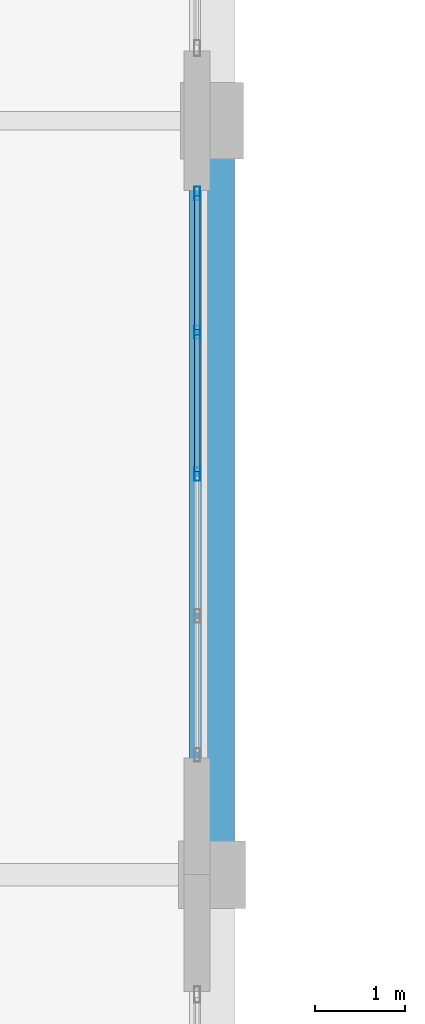
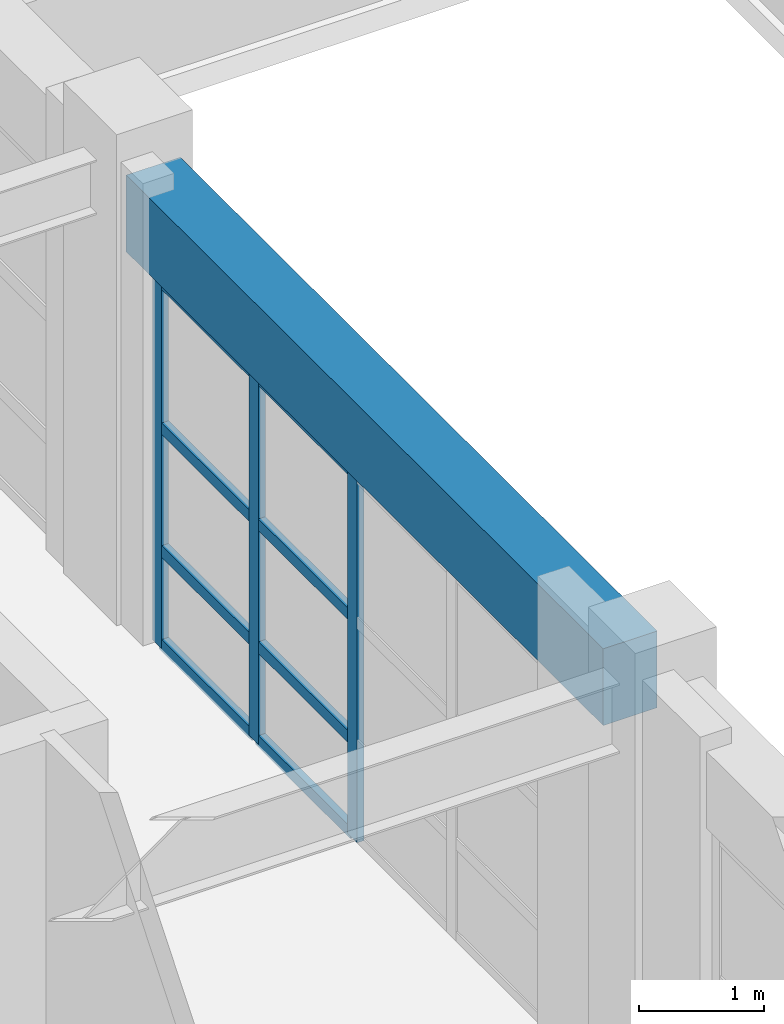
# One storey, part 25 of 123: 11 members, 1 beam, 1 element without a shape of its own.
"""IFC4 building model written with IfcOpenShell, lengths in metres."""

from ifc_helpers import new_model, si_unit, direction, frame, origin, origin_2d, place, context, subcontext, project, spatial, rectangle, hollow_rectangle, extrude, material, layer, layer_set, material_profile, profile_set, type_object, element, aggregate, save


model = new_model("IFC4")

# Units and contexts
model_context = context("Model", 3, precision=1e-05, world=origin(), true_north=direction((0.0, 1.0)))
body_context = subcontext(model_context, "Body", "Model", "MODEL_VIEW")
ifc_project = project(units=[si_unit("LENGTHUNIT", "METRE"), si_unit("AREAUNIT", "SQUARE_METRE"), si_unit("VOLUMEUNIT", "CUBIC_METRE"), si_unit("PLANEANGLEUNIT", "RADIAN"), si_unit("MASSUNIT", "GRAM", prefix="KILO")], contexts=[model_context])

# Site, building, storey
site_placement = place(None, origin())
site = spatial("IfcSite", under=ifc_project, at=site_placement, CompositionType="ELEMENT")
building_placement = place(site_placement, origin())
building = spatial("IfcBuilding", under=site, at=building_placement, Name="Quendrovan Civic Courthouse", CompositionType="ELEMENT")
storey_placement = place(building_placement, frame((0.0, 0.0, 5.39990234375)))
storey = spatial("IfcBuildingStorey", under=building, at=storey_placement, Name="L02", CompositionType="ELEMENT", Elevation=5.39990234375)

# Beam
ifc_material_1 = material(Name="Concrete C40/50", Category="concrete")
ifc_material_profile_1 = material_profile(ifc_material_1, rectangle(XDim=0.5, YDim=0.75, at=origin_2d()), Name="RC-BM-500x750")
ifc_profile_set_1 = profile_set([ifc_material_profile_1], Name="Concrete C40/50")
beam_type = type_object("IfcBeamType", Name="BM-RC750", PredefinedType="SPANDREL", material=ifc_profile_set_1)
beam_placement = place(storey_placement, frame((16.800048828125, 56.7548828125, 3.985107421875), z_axis=(0.0, 1.0, 0.0), x_axis=(-1.0, 0.0, 0.0)))
element("IfcBeam", 1, at=beam_placement, inside=storey, type_object=beam_type, Name="L02 Girder Y0629", PredefinedType="SPANDREL", context=body_context, shape_type="SweptSolid", body=[
    extrude(rectangle(XDim=0.5, YDim=0.75, at=origin_2d()), origin(), (0.0, 0.0, 1.0), 7.64013671875),
])

# Curtain wall, members
ifc_material_2 = material(Name="Bronze anodised aluminium and low-E glass", Category="aluminium")
ifc_layer = layer(ifc_material_2, 0.179931640625, Name="Bronze anodised aluminium and low-E glass")
ifc_layer_set = layer_set([ifc_layer], Name="Bronze anodised aluminium and low-E glass")
curtain_wall_type = type_object("IfcCurtainWallType", Name="CW-U63x36", PredefinedType="USERDEFINED", material=ifc_layer_set)
curtain_wall_placement = place(storey_placement, origin())
curtain_wall = element("IfcCurtainWall", 2, at=curtain_wall_placement, inside=storey, type_object=curtain_wall_type, Name="L02 Unitised Hurricane Curtain Wall CW-073", ObjectType="UNITISED CURTAIN WALL", PredefinedType="USERDEFINED")
ifc_material_3 = material(Name="Bronze anodised aluminium", Category="aluminium")
ifc_material_profile_2 = material_profile(ifc_material_3, hollow_rectangle(XDim=0.06494140625, YDim=0.14990234375, WallThickness=0.00390625, at=origin_2d()), Name="CW-MULL-65x150")
ifc_profile_set_2 = profile_set([ifc_material_profile_2], Name="Bronze anodised aluminium")
member_type_1 = type_object("IfcMemberType", Name="CW-MULL-B", PredefinedType="MULLION", material=ifc_profile_set_2)
member_1_placement = place(storey_placement, frame((16.635009765625, 63.992431640625, 0.0), z_axis=(0.0, 0.0, 1.0), x_axis=(1.0, 0.0, 0.0)))
member_1 = element("IfcMember", 3, at=member_1_placement, type_object=member_type_1, Name="CW-073 mullion 1", PredefinedType="MULLION", context=body_context, shape_type="SweptSolid", body=[
    extrude(hollow_rectangle(XDim=0.06494140625, YDim=0.14990234375, WallThickness=0.00390625, at=origin_2d()), origin(), (0.0, 0.0, 1.0), 3.60009765625),
])
member_2_placement = place(storey_placement, frame((16.635009765625, 62.44384765625, 0.0), z_axis=(0.0, 0.0, 1.0), x_axis=(1.0, 0.0, 0.0)))
member_2 = element("IfcMember", 4, at=member_2_placement, type_object=member_type_1, Name="CW-073 mullion 2", PredefinedType="MULLION", context=body_context, shape_type="SweptSolid", body=[
    extrude(hollow_rectangle(XDim=0.06494140625, YDim=0.14990234375, WallThickness=0.00390625, at=origin_2d()), origin(), (0.0, 0.0, 1.0), 3.60009765625),
])
member_3_placement = place(storey_placement, frame((16.635009765625, 60.862548828125, 0.0), z_axis=(0.0, 0.0, 1.0), x_axis=(1.0, 0.0, 0.0)))
member_3 = element("IfcMember", 5, at=member_3_placement, type_object=member_type_1, Name="CW-073 mullion 3", PredefinedType="MULLION", context=body_context, shape_type="SweptSolid", body=[
    extrude(hollow_rectangle(XDim=0.06494140625, YDim=0.14990234375, WallThickness=0.00390625, at=origin_2d()), origin(), (0.0, 0.0, 1.0), 3.60009765625),
])
ifc_material_profile_3 = material_profile(ifc_material_3, hollow_rectangle(XDim=0.06494140625, YDim=0.114990234375, WallThickness=0.00390625, at=origin_2d()), Name="CW-TRAN-65x115")
ifc_profile_set_3 = profile_set([ifc_material_profile_3], Name="Bronze anodised aluminium")
member_type_2 = type_object("IfcMemberType", Name="CW-TRAN-B", PredefinedType="USERDEFINED", material=ifc_profile_set_3)
member_4_placement = place(storey_placement, frame((16.635009765625, 63.9599609375, 0.03271484375), z_axis=(0.0, -1.0, 0.0), x_axis=(1.0, 0.0, 0.0)))
member_4 = element("IfcMember", 6, at=member_4_placement, type_object=member_type_2, Name="CW-073 transom 1.1", ObjectType="TRANSOM", PredefinedType="USERDEFINED", context=body_context, shape_type="SweptSolid", body=[
    extrude(hollow_rectangle(XDim=0.06494140625, YDim=0.114990234375, WallThickness=0.00390625, at=origin_2d()), origin(), (0.0, 0.0, 1.0), 1.483642578125),
])
member_5_placement = place(storey_placement, frame((16.635009765625, 63.9599609375, 0.9501953125), z_axis=(0.0, -1.0, 0.0), x_axis=(1.0, 0.0, 0.0)))
member_5 = element("IfcMember", 7, at=member_5_placement, type_object=member_type_2, Name="CW-073 transom 1.2", ObjectType="TRANSOM", PredefinedType="USERDEFINED", context=body_context, shape_type="SweptSolid", body=[
    extrude(hollow_rectangle(XDim=0.06494140625, YDim=0.114990234375, WallThickness=0.00390625, at=origin_2d()), origin(), (0.0, 0.0, 1.0), 1.483642578125),
])
member_6_placement = place(storey_placement, frame((16.635009765625, 63.9599609375, 2.150146484375), z_axis=(0.0, -1.0, 0.0), x_axis=(1.0, 0.0, 0.0)))
member_6 = element("IfcMember", 8, at=member_6_placement, type_object=member_type_2, Name="CW-073 transom 1.3", ObjectType="TRANSOM", PredefinedType="USERDEFINED", context=body_context, shape_type="SweptSolid", body=[
    extrude(hollow_rectangle(XDim=0.06494140625, YDim=0.114990234375, WallThickness=0.00390625, at=origin_2d()), origin(), (0.0, 0.0, 1.0), 1.483642578125),
])
member_7_placement = place(storey_placement, frame((16.635009765625, 63.9599609375, 3.567626953125), z_axis=(0.0, -1.0, 0.0), x_axis=(1.0, 0.0, 0.0)))
member_7 = element("IfcMember", 9, at=member_7_placement, type_object=member_type_2, Name="CW-073 transom 1.4", ObjectType="TRANSOM", PredefinedType="USERDEFINED", context=body_context, shape_type="SweptSolid", body=[
    extrude(hollow_rectangle(XDim=0.06494140625, YDim=0.114990234375, WallThickness=0.00390625, at=origin_2d()), origin(), (0.0, 0.0, 1.0), 1.483642578125),
])
member_8_placement = place(storey_placement, frame((16.635009765625, 62.4111328125, 0.03271484375), z_axis=(0.0, -1.0, 0.0), x_axis=(1.0, 0.0, 0.0)))
member_8 = element("IfcMember", 10, at=member_8_placement, type_object=member_type_2, Name="CW-073 transom 2.1", ObjectType="TRANSOM", PredefinedType="USERDEFINED", context=body_context, shape_type="SweptSolid", body=[
    extrude(hollow_rectangle(XDim=0.06494140625, YDim=0.114990234375, WallThickness=0.00390625, at=origin_2d()), origin(), (0.0, 0.0, 1.0), 1.51611328125),
])
member_9_placement = place(storey_placement, frame((16.635009765625, 62.4111328125, 0.9501953125), z_axis=(0.0, -1.0, 0.0), x_axis=(1.0, 0.0, 0.0)))
member_9 = element("IfcMember", 11, at=member_9_placement, type_object=member_type_2, Name="CW-073 transom 2.2", ObjectType="TRANSOM", PredefinedType="USERDEFINED", context=body_context, shape_type="SweptSolid", body=[
    extrude(hollow_rectangle(XDim=0.06494140625, YDim=0.114990234375, WallThickness=0.00390625, at=origin_2d()), origin(), (0.0, 0.0, 1.0), 1.51611328125),
])
member_10_placement = place(storey_placement, frame((16.635009765625, 62.4111328125, 2.150146484375), z_axis=(0.0, -1.0, 0.0), x_axis=(1.0, 0.0, 0.0)))
member_10 = element("IfcMember", 12, at=member_10_placement, type_object=member_type_2, Name="CW-073 transom 2.3", ObjectType="TRANSOM", PredefinedType="USERDEFINED", context=body_context, shape_type="SweptSolid", body=[
    extrude(hollow_rectangle(XDim=0.06494140625, YDim=0.114990234375, WallThickness=0.00390625, at=origin_2d()), origin(), (0.0, 0.0, 1.0), 1.51611328125),
])
member_11_placement = place(storey_placement, frame((16.635009765625, 62.4111328125, 3.567626953125), z_axis=(0.0, -1.0, 0.0), x_axis=(1.0, 0.0, 0.0)))
member_11 = element("IfcMember", 13, at=member_11_placement, type_object=member_type_2, Name="CW-073 transom 2.4", ObjectType="TRANSOM", PredefinedType="USERDEFINED", context=body_context, shape_type="SweptSolid", body=[
    extrude(hollow_rectangle(XDim=0.06494140625, YDim=0.114990234375, WallThickness=0.00390625, at=origin_2d()), origin(), (0.0, 0.0, 1.0), 1.51611328125),
])
aggregate(curtain_wall, [member_1, member_2, member_3, member_4, member_5, member_6, member_7, member_8, member_9, member_10, member_11])

save(model, "model.ifc")
